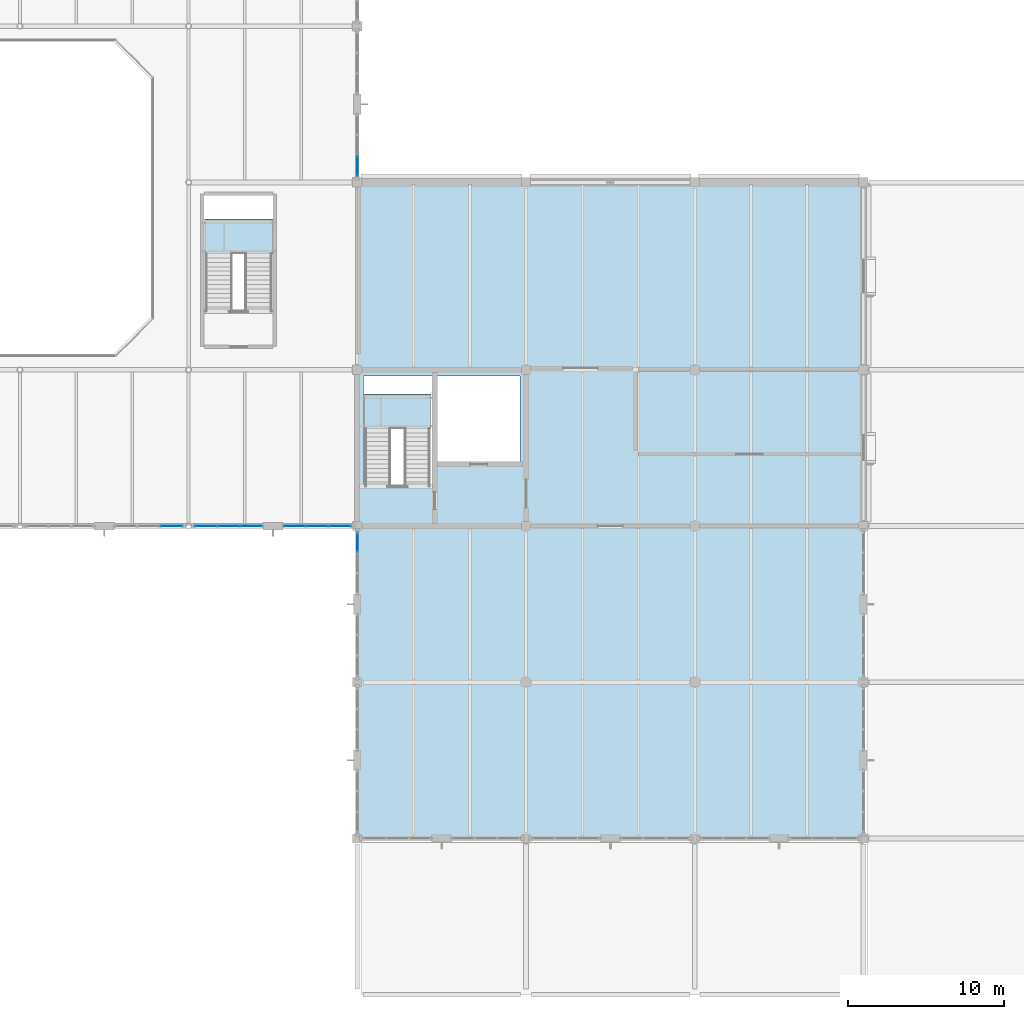
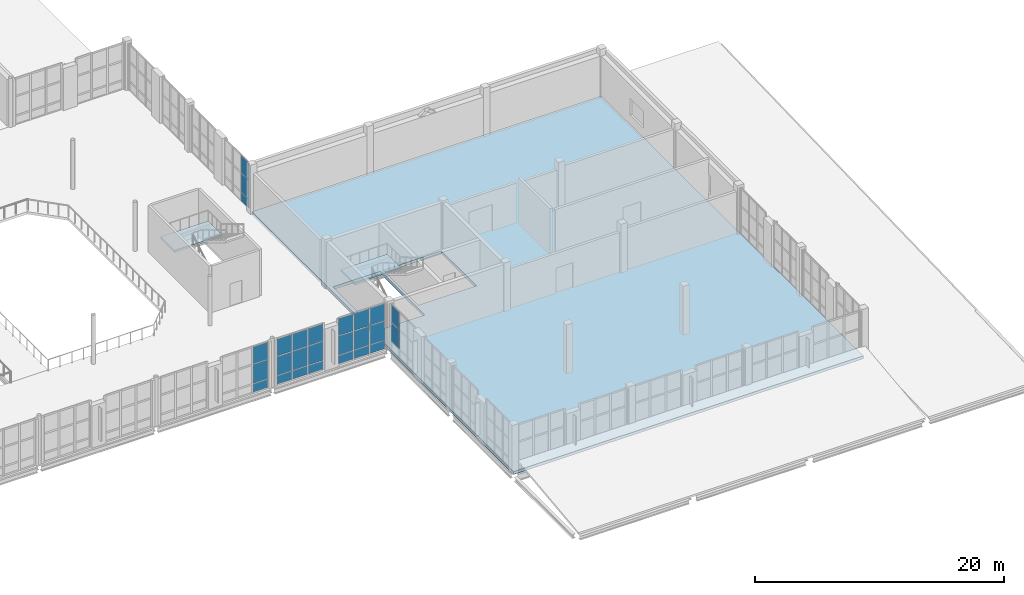
# One storey, part 66 of 100: 26 plates, 3 slabs, 7 elements without a shape of their own.
"""IFC4 building model written with IfcOpenShell, lengths in metres."""

from ifc_helpers import new_model, si_unit, direction, frame, origin, origin_2d, place, context, subcontext, project, spatial, polyline, rectangle, outline, extrude, material, layer, layer_set, type_object, element, aggregate, save


model = new_model("IFC4")

# Units and contexts
model_context = context("Model", 3, precision=1e-05, world=origin(), true_north=direction((0.0, 1.0)))
body_context = subcontext(model_context, "Body", "Model", "MODEL_VIEW")
ifc_project = project(units=[si_unit("LENGTHUNIT", "METRE"), si_unit("AREAUNIT", "SQUARE_METRE"), si_unit("VOLUMEUNIT", "CUBIC_METRE"), si_unit("PLANEANGLEUNIT", "RADIAN"), si_unit("MASSUNIT", "GRAM", prefix="KILO")], contexts=[model_context])

# Site, building, storey
site_placement = place(None, origin())
site = spatial("IfcSite", under=ifc_project, at=site_placement, CompositionType="ELEMENT")
building_placement = place(site_placement, origin())
building = spatial("IfcBuilding", under=site, at=building_placement, Name="Tasgan Crest Museum", CompositionType="ELEMENT")
storey_placement = place(building_placement, frame((0.0, 0.0, 9.60009765625)))
storey = spatial("IfcBuildingStorey", under=building, at=storey_placement, Name="L02", CompositionType="ELEMENT", Elevation=9.60009765625)

# Curtain wall, plate
ifc_material_1 = material(Name="Triple-Glazed Aluminium Curtain Wall", Category="aluminium")
ifc_layer_1 = layer(ifc_material_1, 0.179931640625, Name="CW-DRUM-Y10-48")
ifc_layer_set_1 = layer_set([ifc_layer_1], Name="Triple-Glazed Aluminium Curtain Wall")
curtain_wall_type_1 = type_object("IfcCurtainWallType", Name="CW-DRUM-Y10-48", PredefinedType="NOTDEFINED", material=ifc_layer_set_1)
curtain_wall_1_placement = place(storey_placement, origin())
curtain_wall_1 = element("IfcCurtainWall", 1, at=curtain_wall_1_placement, inside=storey, type_object=curtain_wall_type_1, Name="Curtain wall L02 075", PredefinedType="NOTDEFINED")
ifc_material_2 = material(Name="Insulated Spandrel Glass", Category="glass")
ifc_layer_2 = layer(ifc_material_2, 0.052001953125, Name="CW-PANEL-SPANDREL")
ifc_layer_set_2 = layer_set([ifc_layer_2], Name="Insulated Spandrel Glass")
plate_type_1 = type_object("IfcPlateType", Name="CW-PANEL-SPANDREL", PredefinedType="CURTAIN_PANEL", material=ifc_layer_set_2)
plate_1_placement = place(storey_placement, frame((108.0, 63.044921875, 0.059814453125), z_axis=(0.0, 0.0, 1.0), x_axis=(0.0, 1.0, 0.0)))
plate_1 = element("IfcPlate", 2, at=plate_1_placement, type_object=plate_type_1, Name="CW04 panel 1.1", PredefinedType="CURTAIN_PANEL", context=body_context, shape_type="SweptSolid", body=[
    extrude(rectangle(XDim=1.239990234375, YDim=0.028076171875, at=origin_2d()), origin(), (0.0, 0.0, 1.0), 0.81005859375),
])

ifc_material_3 = material(Name="Triple-Glazed Aluminium Curtain Wall", Category="aluminium")
ifc_layer_3 = layer(ifc_material_3, 0.179931640625, Name="CW-DRUM-X-48")
ifc_layer_set_3 = layer_set([ifc_layer_3], Name="Triple-Glazed Aluminium Curtain Wall")
curtain_wall_type_2 = type_object("IfcCurtainWallType", Name="CW-DRUM-X-48", PredefinedType="NOTDEFINED", material=ifc_layer_set_3)
curtain_wall_2_placement = place(storey_placement, origin())
curtain_wall_2 = element("IfcCurtainWall", 3, at=curtain_wall_2_placement, inside=storey, type_object=curtain_wall_type_2, Name="Curtain wall L02 108", PredefinedType="NOTDEFINED")
plate_2_placement = place(storey_placement, frame((96.08837890625, 40.0, 0.059814453125), z_axis=(0.0, 0.0, 1.0), x_axis=(1.0, 0.0, 0.0)))
plate_2 = element("IfcPlate", 4, at=plate_2_placement, type_object=plate_type_1, Name="CW03 panel 3.1", PredefinedType="CURTAIN_PANEL", context=body_context, shape_type="SweptSolid", body=[
    extrude(rectangle(XDim=1.373291015625, YDim=0.028076171875, at=origin_2d()), origin(), (0.0, 0.0, 1.0), 0.81005859375),
])

# Curtain wall, plates
curtain_wall_3_placement = place(storey_placement, origin())
curtain_wall_3 = element("IfcCurtainWall", 5, at=curtain_wall_3_placement, inside=storey, type_object=curtain_wall_type_2, Name="Curtain wall L02 109", PredefinedType="NOTDEFINED")
plate_3_placement = place(storey_placement, frame((98.311767578125, 40.0, 0.059814453125), z_axis=(0.0, 0.0, 1.0), x_axis=(1.0, 0.0, 0.0)))
plate_3 = element("IfcPlate", 6, at=plate_3_placement, type_object=plate_type_1, Name="CW03 panel 1.1", PredefinedType="CURTAIN_PANEL", context=body_context, shape_type="SweptSolid", body=[
    extrude(rectangle(XDim=1.373291015625, YDim=0.028076171875, at=origin_2d()), origin(), (0.0, 0.0, 1.0), 0.81005859375),
])
plate_4_placement = place(storey_placement, frame((99.760009765625, 40.0, 0.059814453125), z_axis=(0.0, 0.0, 1.0), x_axis=(1.0, 0.0, 0.0)))
plate_4 = element("IfcPlate", 7, at=plate_4_placement, type_object=plate_type_1, Name="CW03 panel 2.1", PredefinedType="CURTAIN_PANEL", context=body_context, shape_type="SweptSolid", body=[
    extrude(rectangle(XDim=1.4033203125, YDim=0.028076171875, at=origin_2d()), origin(), (0.0, 0.0, 1.0), 0.81005859375),
])
plate_5_placement = place(storey_placement, frame((101.208251953125, 40.0, 0.059814453125), z_axis=(0.0, 0.0, 1.0), x_axis=(1.0, 0.0, 0.0)))
plate_5 = element("IfcPlate", 8, at=plate_5_placement, type_object=plate_type_1, Name="CW03 panel 3.1", PredefinedType="CURTAIN_PANEL", context=body_context, shape_type="SweptSolid", body=[
    extrude(rectangle(XDim=1.373291015625, YDim=0.028076171875, at=origin_2d()), origin(), (0.0, 0.0, 1.0), 0.81005859375),
])

curtain_wall_4_placement = place(storey_placement, origin())
curtain_wall_4 = element("IfcCurtainWall", 9, at=curtain_wall_4_placement, inside=storey, type_object=curtain_wall_type_2, Name="Curtain wall L02 110", PredefinedType="NOTDEFINED")
plate_6_placement = place(storey_placement, frame((103.99169921875, 40.0, 0.059814453125), z_axis=(0.0, 0.0, 1.0), x_axis=(1.0, 0.0, 0.0)))
plate_6 = element("IfcPlate", 10, at=plate_6_placement, type_object=plate_type_1, Name="CW03 panel 1.1", PredefinedType="CURTAIN_PANEL", context=body_context, shape_type="SweptSolid", body=[
    extrude(rectangle(XDim=1.373291015625, YDim=0.028076171875, at=origin_2d()), origin(), (0.0, 0.0, 1.0), 0.81005859375),
])
plate_7_placement = place(storey_placement, frame((105.43994140625, 40.0, 0.059814453125), z_axis=(0.0, 0.0, 1.0), x_axis=(1.0, 0.0, 0.0)))
plate_7 = element("IfcPlate", 11, at=plate_7_placement, type_object=plate_type_1, Name="CW03 panel 2.1", PredefinedType="CURTAIN_PANEL", context=body_context, shape_type="SweptSolid", body=[
    extrude(rectangle(XDim=1.4033203125, YDim=0.028076171875, at=origin_2d()), origin(), (0.0, 0.0, 1.0), 0.81005859375),
])
plate_8_placement = place(storey_placement, frame((106.888427734375, 40.0, 0.059814453125), z_axis=(0.0, 0.0, 1.0), x_axis=(1.0, 0.0, 0.0)))
plate_8 = element("IfcPlate", 12, at=plate_8_placement, type_object=plate_type_1, Name="CW03 panel 3.1", PredefinedType="CURTAIN_PANEL", context=body_context, shape_type="SweptSolid", body=[
    extrude(rectangle(XDim=1.373291015625, YDim=0.028076171875, at=origin_2d()), origin(), (0.0, 0.0, 1.0), 0.81005859375),
])

ifc_material_4 = material(Name="Triple-Glazed Aluminium Curtain Wall", Category="aluminium")
ifc_layer_4 = layer(ifc_material_4, 0.179931640625, Name="CW-GAL-Y-48")
ifc_layer_set_4 = layer_set([ifc_layer_4], Name="Triple-Glazed Aluminium Curtain Wall")
curtain_wall_type_3 = type_object("IfcCurtainWallType", Name="CW-GAL-Y-48", PredefinedType="NOTDEFINED", material=ifc_layer_set_4)
curtain_wall_5_placement = place(storey_placement, origin())
curtain_wall_5 = element("IfcCurtainWall", 13, at=curtain_wall_5_placement, inside=storey, type_object=curtain_wall_type_3, Name="Curtain wall L02 061", PredefinedType="NOTDEFINED")
ifc_material_5 = material(Name="Low-E Triple Glazing", Category="glass")
ifc_layer_5 = layer(ifc_material_5, 0.0439453125, Name="CW-PANEL-TRIPLE")
ifc_layer_set_5 = layer_set([ifc_layer_5], Name="Low-E Triple Glazing")
plate_type_2 = type_object("IfcPlateType", Name="CW-PANEL-TRIPLE", PredefinedType="CURTAIN_PANEL", material=ifc_layer_set_5)
plate_9_placement = place(storey_placement, frame((108.0, 38.955078125, 0.9296875), z_axis=(0.0, 0.0, 1.0), x_axis=(0.0, -1.0, 0.0)))
plate_9 = element("IfcPlate", 14, at=plate_9_placement, type_object=plate_type_2, Name="CW16 panel 1.2", PredefinedType="CURTAIN_PANEL", context=body_context, shape_type="SweptSolid", body=[
    extrude(rectangle(XDim=1.239990234375, YDim=0.028076171875, at=origin_2d()), origin(), (0.0, 0.0, 1.0), 1.840087890625),
])
plate_10_placement = place(storey_placement, frame((108.0, 38.955078125, 2.829833984375), z_axis=(0.0, 0.0, 1.0), x_axis=(0.0, -1.0, 0.0)))
plate_10 = element("IfcPlate", 15, at=plate_10_placement, type_object=plate_type_2, Name="CW16 panel 1.3", PredefinedType="CURTAIN_PANEL", context=body_context, shape_type="SweptSolid", body=[
    extrude(rectangle(XDim=1.239990234375, YDim=0.028076171875, at=origin_2d()), origin(), (0.0, 0.0, 1.0), 1.669921875),
])
aggregate(curtain_wall_5, [plate_9, plate_10])

# Plate
plate_11_placement = place(storey_placement, frame((108.0, 63.044921875, 0.9296875), z_axis=(0.0, 0.0, 1.0), x_axis=(0.0, 1.0, 0.0)))
plate_11 = element("IfcPlate", 16, at=plate_11_placement, type_object=plate_type_2, Name="CW04 panel 1.2", PredefinedType="CURTAIN_PANEL", context=body_context, shape_type="SweptSolid", body=[
    extrude(rectangle(XDim=1.239990234375, YDim=0.028076171875, at=origin_2d()), origin(), (0.0, 0.0, 1.0), 1.840087890625),
])

plate_12_placement = place(storey_placement, frame((108.0, 63.044921875, 2.829833984375), z_axis=(0.0, 0.0, 1.0), x_axis=(0.0, 1.0, 0.0)))
plate_12 = element("IfcPlate", 17, at=plate_12_placement, type_object=plate_type_2, Name="CW04 panel 1.3", PredefinedType="CURTAIN_PANEL", context=body_context, shape_type="SweptSolid", body=[
    extrude(rectangle(XDim=1.239990234375, YDim=0.028076171875, at=origin_2d()), origin(), (0.0, 0.0, 1.0), 1.669921875),
])

aggregate(curtain_wall_1, [plate_1, plate_11, plate_12])

plate_13_placement = place(storey_placement, frame((96.08837890625, 40.0, 0.9296875), z_axis=(0.0, 0.0, 1.0), x_axis=(1.0, 0.0, 0.0)))
plate_13 = element("IfcPlate", 18, at=plate_13_placement, type_object=plate_type_2, Name="CW03 panel 3.2", PredefinedType="CURTAIN_PANEL", context=body_context, shape_type="SweptSolid", body=[
    extrude(rectangle(XDim=1.373291015625, YDim=0.028076171875, at=origin_2d()), origin(), (0.0, 0.0, 1.0), 1.840087890625),
])

plate_14_placement = place(storey_placement, frame((96.08837890625, 40.0, 2.829833984375), z_axis=(0.0, 0.0, 1.0), x_axis=(1.0, 0.0, 0.0)))
plate_14 = element("IfcPlate", 19, at=plate_14_placement, type_object=plate_type_2, Name="CW03 panel 3.3", PredefinedType="CURTAIN_PANEL", context=body_context, shape_type="SweptSolid", body=[
    extrude(rectangle(XDim=1.373291015625, YDim=0.028076171875, at=origin_2d()), origin(), (0.0, 0.0, 1.0), 1.669921875),
])

aggregate(curtain_wall_2, [plate_2, plate_13, plate_14])

plate_15_placement = place(storey_placement, frame((98.311767578125, 40.0, 0.9296875), z_axis=(0.0, 0.0, 1.0), x_axis=(1.0, 0.0, 0.0)))
plate_15 = element("IfcPlate", 20, at=plate_15_placement, type_object=plate_type_2, Name="CW03 panel 1.2", PredefinedType="CURTAIN_PANEL", context=body_context, shape_type="SweptSolid", body=[
    extrude(rectangle(XDim=1.373291015625, YDim=0.028076171875, at=origin_2d()), origin(), (0.0, 0.0, 1.0), 1.840087890625),
])

plate_16_placement = place(storey_placement, frame((98.311767578125, 40.0, 2.829833984375), z_axis=(0.0, 0.0, 1.0), x_axis=(1.0, 0.0, 0.0)))
plate_16 = element("IfcPlate", 21, at=plate_16_placement, type_object=plate_type_2, Name="CW03 panel 1.3", PredefinedType="CURTAIN_PANEL", context=body_context, shape_type="SweptSolid", body=[
    extrude(rectangle(XDim=1.373291015625, YDim=0.028076171875, at=origin_2d()), origin(), (0.0, 0.0, 1.0), 1.669921875),
])

plate_17_placement = place(storey_placement, frame((99.760009765625, 40.0, 0.9296875), z_axis=(0.0, 0.0, 1.0), x_axis=(1.0, 0.0, 0.0)))
plate_17 = element("IfcPlate", 22, at=plate_17_placement, type_object=plate_type_2, Name="CW03 panel 2.2", PredefinedType="CURTAIN_PANEL", context=body_context, shape_type="SweptSolid", body=[
    extrude(rectangle(XDim=1.4033203125, YDim=0.028076171875, at=origin_2d()), origin(), (0.0, 0.0, 1.0), 1.840087890625),
])

plate_18_placement = place(storey_placement, frame((99.760009765625, 40.0, 2.829833984375), z_axis=(0.0, 0.0, 1.0), x_axis=(1.0, 0.0, 0.0)))
plate_18 = element("IfcPlate", 23, at=plate_18_placement, type_object=plate_type_2, Name="CW03 panel 2.3", PredefinedType="CURTAIN_PANEL", context=body_context, shape_type="SweptSolid", body=[
    extrude(rectangle(XDim=1.4033203125, YDim=0.028076171875, at=origin_2d()), origin(), (0.0, 0.0, 1.0), 1.669921875),
])

plate_19_placement = place(storey_placement, frame((101.208251953125, 40.0, 0.9296875), z_axis=(0.0, 0.0, 1.0), x_axis=(1.0, 0.0, 0.0)))
plate_19 = element("IfcPlate", 24, at=plate_19_placement, type_object=plate_type_2, Name="CW03 panel 3.2", PredefinedType="CURTAIN_PANEL", context=body_context, shape_type="SweptSolid", body=[
    extrude(rectangle(XDim=1.373291015625, YDim=0.028076171875, at=origin_2d()), origin(), (0.0, 0.0, 1.0), 1.840087890625),
])

plate_20_placement = place(storey_placement, frame((101.208251953125, 40.0, 2.829833984375), z_axis=(0.0, 0.0, 1.0), x_axis=(1.0, 0.0, 0.0)))
plate_20 = element("IfcPlate", 25, at=plate_20_placement, type_object=plate_type_2, Name="CW03 panel 3.3", PredefinedType="CURTAIN_PANEL", context=body_context, shape_type="SweptSolid", body=[
    extrude(rectangle(XDim=1.373291015625, YDim=0.028076171875, at=origin_2d()), origin(), (0.0, 0.0, 1.0), 1.669921875),
])

aggregate(curtain_wall_3, [plate_3, plate_15, plate_16, plate_4, plate_17, plate_18, plate_5, plate_19, plate_20])

plate_21_placement = place(storey_placement, frame((103.99169921875, 40.0, 0.9296875), z_axis=(0.0, 0.0, 1.0), x_axis=(1.0, 0.0, 0.0)))
plate_21 = element("IfcPlate", 26, at=plate_21_placement, type_object=plate_type_2, Name="CW03 panel 1.2", PredefinedType="CURTAIN_PANEL", context=body_context, shape_type="SweptSolid", body=[
    extrude(rectangle(XDim=1.373291015625, YDim=0.028076171875, at=origin_2d()), origin(), (0.0, 0.0, 1.0), 1.840087890625),
])

plate_22_placement = place(storey_placement, frame((103.99169921875, 40.0, 2.829833984375), z_axis=(0.0, 0.0, 1.0), x_axis=(1.0, 0.0, 0.0)))
plate_22 = element("IfcPlate", 27, at=plate_22_placement, type_object=plate_type_2, Name="CW03 panel 1.3", PredefinedType="CURTAIN_PANEL", context=body_context, shape_type="SweptSolid", body=[
    extrude(rectangle(XDim=1.373291015625, YDim=0.028076171875, at=origin_2d()), origin(), (0.0, 0.0, 1.0), 1.669921875),
])

plate_23_placement = place(storey_placement, frame((105.43994140625, 40.0, 0.9296875), z_axis=(0.0, 0.0, 1.0), x_axis=(1.0, 0.0, 0.0)))
plate_23 = element("IfcPlate", 28, at=plate_23_placement, type_object=plate_type_2, Name="CW03 panel 2.2", PredefinedType="CURTAIN_PANEL", context=body_context, shape_type="SweptSolid", body=[
    extrude(rectangle(XDim=1.4033203125, YDim=0.028076171875, at=origin_2d()), origin(), (0.0, 0.0, 1.0), 1.840087890625),
])

plate_24_placement = place(storey_placement, frame((105.43994140625, 40.0, 2.829833984375), z_axis=(0.0, 0.0, 1.0), x_axis=(1.0, 0.0, 0.0)))
plate_24 = element("IfcPlate", 29, at=plate_24_placement, type_object=plate_type_2, Name="CW03 panel 2.3", PredefinedType="CURTAIN_PANEL", context=body_context, shape_type="SweptSolid", body=[
    extrude(rectangle(XDim=1.4033203125, YDim=0.028076171875, at=origin_2d()), origin(), (0.0, 0.0, 1.0), 1.669921875),
])

plate_25_placement = place(storey_placement, frame((106.888427734375, 40.0, 0.9296875), z_axis=(0.0, 0.0, 1.0), x_axis=(1.0, 0.0, 0.0)))
plate_25 = element("IfcPlate", 30, at=plate_25_placement, type_object=plate_type_2, Name="CW03 panel 3.2", PredefinedType="CURTAIN_PANEL", context=body_context, shape_type="SweptSolid", body=[
    extrude(rectangle(XDim=1.373291015625, YDim=0.028076171875, at=origin_2d()), origin(), (0.0, 0.0, 1.0), 1.840087890625),
])

plate_26_placement = place(storey_placement, frame((106.888427734375, 40.0, 2.829833984375), z_axis=(0.0, 0.0, 1.0), x_axis=(1.0, 0.0, 0.0)))
plate_26 = element("IfcPlate", 31, at=plate_26_placement, type_object=plate_type_2, Name="CW03 panel 3.3", PredefinedType="CURTAIN_PANEL", context=body_context, shape_type="SweptSolid", body=[
    extrude(rectangle(XDim=1.373291015625, YDim=0.028076171875, at=origin_2d()), origin(), (0.0, 0.0, 1.0), 1.669921875),
])

aggregate(curtain_wall_4, [plate_6, plate_21, plate_22, plate_7, plate_23, plate_24, plate_8, plate_25, plate_26])

# Slab
ifc_material_6 = material(Name="Concrete C35/45", Category="concrete")
ifc_layer_6 = layer(ifc_material_6, 0.280029296875, Name="SL-FLR-280")
ifc_layer_set_6 = layer_set([ifc_layer_6], Name="Concrete C35/45")
slab_type_1 = type_object("IfcSlabType", Name="SL-FLR-280", PredefinedType="FLOOR", material=ifc_layer_set_6)
slab_1_placement = place(storey_placement, frame((0.0, 0.0, -0.280029296875)))
element("IfcSlab", 32, at=slab_1_placement, inside=storey, type_object=slab_type_1, Name="Floor slab L02 V3", PredefinedType="FLOOR", context=body_context, shape_type="SweptSolid", body=[
    extrude(outline(polyline([(108.0, 20.0), (140.39990234375, 20.0), (140.39990234375, 62.0), (108.0, 62.0), (108.0, 20.0)]), holes=[polyline([(108.3798828125, 42.550048828125), (112.800048828125, 42.550048828125), (112.800048828125, 49.6201171875), (108.3798828125, 49.6201171875), (108.3798828125, 42.550048828125)]), polyline([(113.050048828125, 44.0), (118.419921875, 44.0), (118.419921875, 49.6201171875), (113.050048828125, 49.6201171875), (113.050048828125, 44.0)])]), origin(), (0.0, 0.0, 1.0), 0.280029296875),
])

# Stair, slab
ifc_material_7 = material(Name="Concrete C35/45", Category="concrete")
stair_type_1 = type_object("IfcStairType", Name="ST-CORE-48", PredefinedType="HALF_TURN_STAIR", material=ifc_material_7)
stair_1_placement = place(storey_placement, origin())
stair_1 = element("IfcStair", 33, at=stair_1_placement, inside=storey, type_object=stair_type_1, Name="Stair ST-SE-L02 L02", PredefinedType="HALF_TURN_STAIR")
ifc_material_8 = material(Name="Concrete C35/45", Category="concrete")
ifc_layer_7 = layer(ifc_material_8, 0.199951171875, Name="SL-LAND-200")
ifc_layer_set_7 = layer_set([ifc_layer_7], Name="Concrete C35/45")
slab_type_2 = type_object("IfcSlabType", Name="SL-LAND-200", PredefinedType="LANDING", material=ifc_layer_set_7)
slab_2_placement = place(storey_placement, frame((0.0, 0.0, 2.199951171875)))
slab_2 = element("IfcSlab", 34, at=slab_2_placement, type_object=slab_type_2, Name="ST-SE-L02 landing 1", PredefinedType="LANDING", context=body_context, shape_type="SweptSolid", body=[
    extrude(outline(polyline([(108.419921875, 46.205078125), (112.72998046875, 46.205078125), (112.72998046875, 48.455078125), (108.419921875, 48.455078125), (108.419921875, 46.205078125)])), origin(), (0.0, 0.0, 1.0), 0.199951171875),
])
aggregate(stair_1, [slab_2])

ifc_material_9 = material(Name="Steel S355J2", Category="steel")
stair_type_2 = type_object("IfcStairType", Name="ST-FEAT-48", PredefinedType="HALF_TURN_STAIR", material=ifc_material_9)
stair_2_placement = place(storey_placement, origin())
stair_2 = element("IfcStair", 35, at=stair_2_placement, inside=storey, type_object=stair_type_2, Name="Stair ST-AT-L02 L02", PredefinedType="HALF_TURN_STAIR")
slab_3_placement = place(storey_placement, frame((0.0, 0.0, 2.199951171875)))
slab_3 = element("IfcSlab", 36, at=slab_3_placement, type_object=slab_type_2, Name="ST-AT-L02 landing 1", PredefinedType="LANDING", context=body_context, shape_type="SweptSolid", body=[
    extrude(outline(polyline([(98.199951171875, 57.405029296875), (102.60009765625, 57.405029296875), (102.60009765625, 59.655029296875), (98.199951171875, 59.655029296875), (98.199951171875, 57.405029296875)])), origin(), (0.0, 0.0, 1.0), 0.199951171875),
])
aggregate(stair_2, [slab_3])

save(model, "model.ifc")
